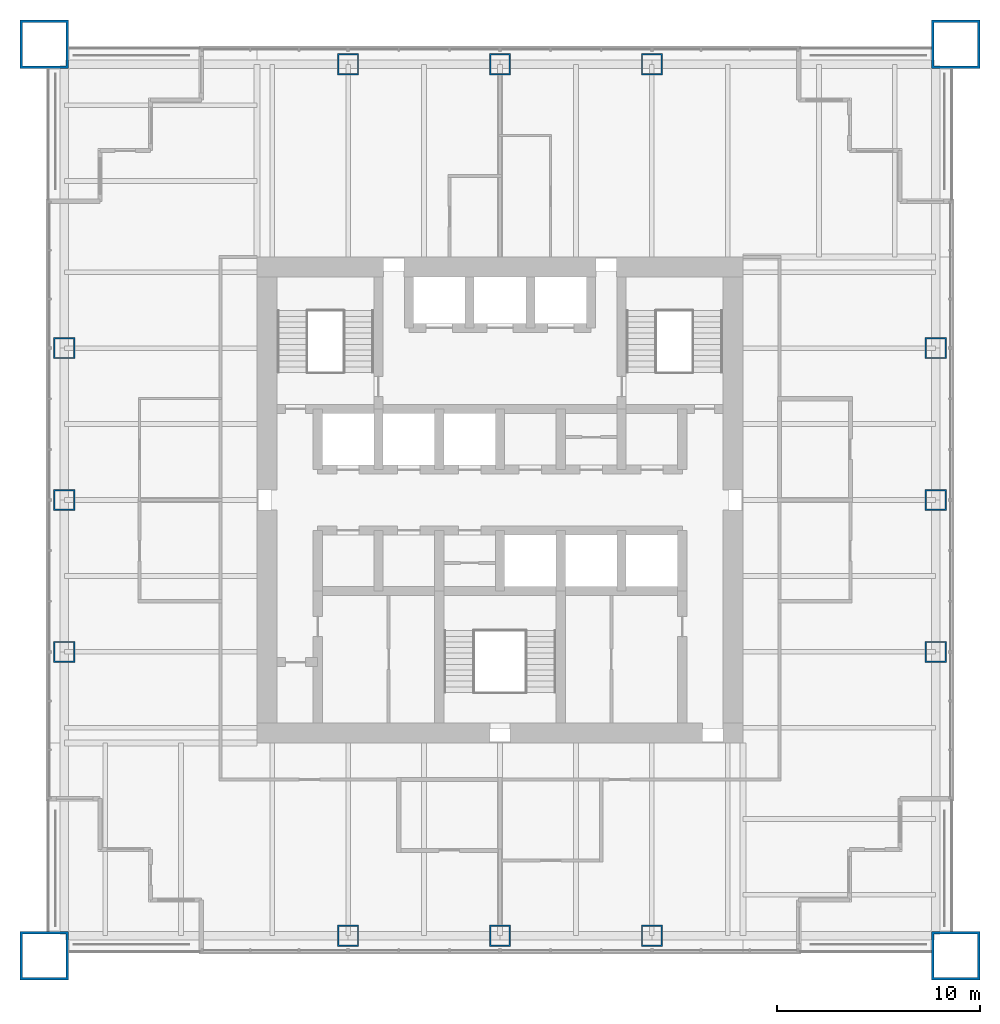
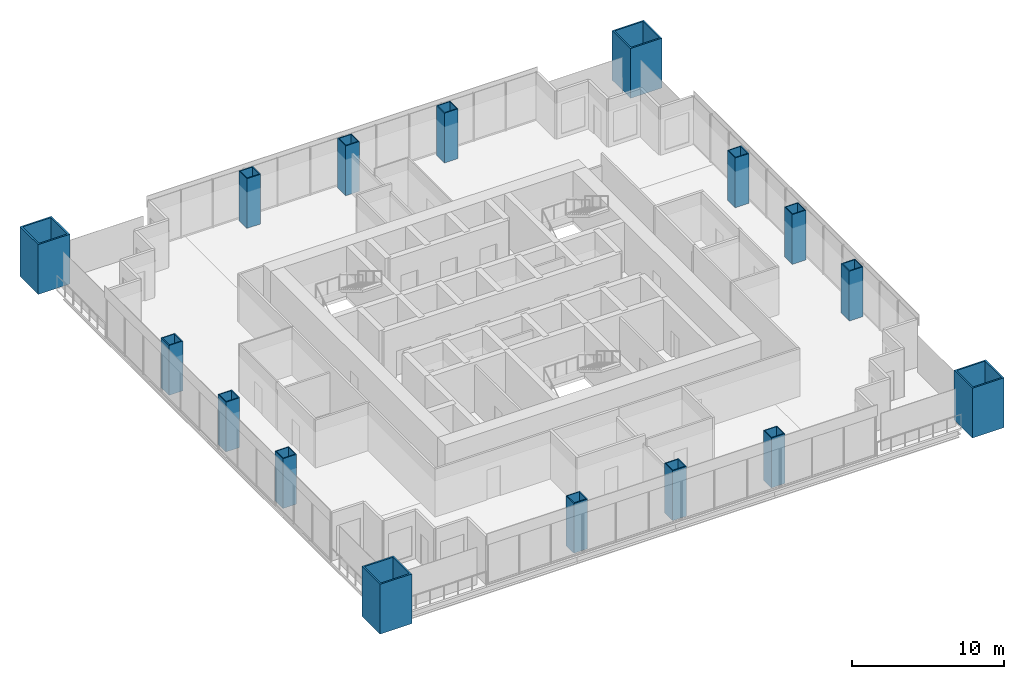
# One storey, part 1 of 13: 16 columns.
"""IFC4 building model written with IfcOpenShell, lengths in metres."""

import ifcopenshell
import ifcopenshell.guid

model = None  # the IFC model being written
_history = None  # IfcOwnerHistory: only IFC2X3 demands one
_inside = {}  # id of a spatial element -> (the spatial element, [elements in it])
_under = {}  # id of a project, library or spatial element -> (it, [spatial elements below it])
_declared = {}  # id of a project -> (the project, [libraries it declares])
_typed = {}  # id of a type object -> (the type object, [elements of that type])
_made_of = {}  # id of a material, layer set ... -> (it, [elements and type objects made of it])


def new_model(schema):
    """Start an empty IFC model of exactly this schema.

    Asked for "IFC4X3", IfcOpenShell would pick the latest addendum, in which some entities
    have other attributes; the version numbers below select the first issue.
    IFC2X3 requires an IfcOwnerHistory on every rooted entity: one is made here for all.
    """
    global model, _history
    if schema == "IFC4X3":
        model = ifcopenshell.file(schema_version=(4, 3, 0, 0))
    else:
        model = ifcopenshell.file(schema=schema)
    _inside.clear()
    _under.clear()
    _declared.clear()
    _typed.clear()
    _made_of.clear()
    _history = None
    if model.schema == "IFC2X3":
        org = make("IfcOrganization", Name="unknown")
        user = make(
            "IfcPersonAndOrganization",
            ThePerson=make("IfcPerson", FamilyName="unknown"),
            TheOrganization=org,
        )
        app = make(
            "IfcApplication",
            ApplicationDeveloper=org,
            Version="unknown",
            ApplicationFullName="unknown",
            ApplicationIdentifier="unknown",
        )
        _history = make(
            "IfcOwnerHistory",
            OwningUser=user,
            OwningApplication=app,
            ChangeAction="ADDED",
            CreationDate=0,
        )
    return model


def make(cls, **values):
    """One entity of the class cls with the attributes given. An attribute that is None is left unset."""
    return model.create_entity(
        cls, **{name: value for name, value in values.items() if value is not None}
    )


def rooted(cls, **values):
    """An entity with a GlobalId (a new one), such as an element, a storey or a relation."""
    return make(cls, GlobalId=ifcopenshell.guid.new(), OwnerHistory=_history, **values)


def si_unit(unit_type, name, prefix=None):
    """IfcSIUnit, for example si_unit("LENGTHUNIT", "METRE", prefix="MILLI")."""
    return make("IfcSIUnit", UnitType=unit_type, Prefix=prefix, Name=name)


def assignment(units):
    """IfcUnitAssignment: the units of a project."""
    return None if units is None else make("IfcUnitAssignment", Units=units)


def point(xyz):
    """IfcCartesianPoint."""
    return None if xyz is None else make("IfcCartesianPoint", Coordinates=xyz)


def direction(xyz):
    """IfcDirection."""
    return None if xyz is None else make("IfcDirection", DirectionRatios=xyz)


def frame(location, z_axis=None, x_axis=None):
    """IfcAxis2Placement3D, a coordinate frame: its origin and axes. An axis left out is left unset."""
    return make(
        "IfcAxis2Placement3D",
        Location=point(location),
        Axis=direction(z_axis),
        RefDirection=direction(x_axis),
    )


def frame_2d(location, x_axis=None):
    """IfcAxis2Placement2D, a coordinate frame in the plane: its origin and x axis."""
    return make(
        "IfcAxis2Placement2D", Location=point(location), RefDirection=direction(x_axis)
    )


def origin():
    """The frame at (0, 0, 0) with its axes left unset."""
    return frame((0.0, 0.0, 0.0))


def origin_2d():
    """The frame at (0, 0) in the plane with its x axis left unset."""
    return frame_2d((0.0, 0.0))


def place(relative_to, where):
    """IfcLocalPlacement: puts the frame where relative to a parent placement (None: the world)."""
    return make(
        "IfcLocalPlacement", PlacementRelTo=relative_to, RelativePlacement=where
    )


def context(
    kind, dimensions, precision=None, world=None, true_north=None, identifier=None
):
    """IfcGeometricRepresentationContext, for example the 3D "Model" context."""
    return make(
        "IfcGeometricRepresentationContext",
        ContextIdentifier=identifier,
        ContextType=kind,
        CoordinateSpaceDimension=dimensions,
        Precision=precision,
        WorldCoordinateSystem=world,
        TrueNorth=true_north,
    )


def subcontext(parent, identifier, kind, view, scale=None):
    """IfcGeometricRepresentationSubContext, for example "Body" below "Model"."""
    return make(
        "IfcGeometricRepresentationSubContext",
        ContextIdentifier=identifier,
        ContextType=kind,
        ParentContext=parent,
        TargetScale=scale,
        TargetView=view,
    )


def project(units=None, contexts=None):
    """IfcProject with its units and contexts."""
    return rooted(
        "IfcProject",
        Name="project",
        RepresentationContexts=contexts,
        UnitsInContext=assignment(units),
    )


def spatial(cls, under=None, at=None, **own):
    """A site, building, storey or space (cls), placed at a placement, below another one or the project."""
    s = rooted(cls, ObjectPlacement=at, **own)
    if under is not None:
        _under.setdefault(under.id(), (under, []))[1].append(s)
    return s


def profile(cls, at=None, kind="AREA", **sizes):
    """A parametric profile (cls). Its sizes go by their IFC names, for example OverallWidth=200.0."""
    return make(cls, ProfileType=kind, Position=at, **sizes)


def hollow_rectangle(**sizes):
    """IfcRectangleHollowProfileDef."""
    return profile("IfcRectangleHollowProfileDef", **sizes)


def extrude(swept, where, along, depth):
    """IfcExtrudedAreaSolid: the profile swept, set in the frame where, extruded along a direction by depth."""
    return make(
        "IfcExtrudedAreaSolid",
        SweptArea=swept,
        Position=where,
        ExtrudedDirection=direction(along),
        Depth=depth,
    )


def shape(context_of_items, identifier, shape_type, items):
    """IfcShapeRepresentation: the items that make up one representation, for example the "Body"."""
    return make(
        "IfcShapeRepresentation",
        ContextOfItems=context_of_items,
        RepresentationIdentifier=identifier,
        RepresentationType=shape_type,
        Items=items,
    )


def material(Name=None, Category=None):
    """IfcMaterial."""
    return make("IfcMaterial", Name=Name, Category=Category)


def material_profile(
    of_material, cross_section, Name=None, Category=None, Priority=None
):
    """IfcMaterialProfile: a cross section and its material."""
    return make(
        "IfcMaterialProfile",
        Name=Name,
        Material=of_material,
        Profile=cross_section,
        Priority=Priority,
        Category=Category,
    )


def profile_set(profiles, Name=None, composite=None):
    """IfcMaterialProfileSet."""
    return make(
        "IfcMaterialProfileSet",
        Name=Name,
        MaterialProfiles=profiles,
        CompositeProfile=composite,
    )


def made_of(thing, what):
    """Note that an element or type object is made of a material, layer set ...; save() writes the relation."""
    if what is not None:
        _made_of.setdefault(what.id(), (what, []))[1].append(thing)
    return thing


def type_object(cls, material=None, **own):
    """A type object (cls), such as IfcWallType, which elements share."""
    return made_of(rooted(cls, **own), material)


def element(
    cls,
    number,
    at=None,
    inside=None,
    cuts=None,
    type_object=None,
    material=None,
    context=None,
    identifier="Body",
    shape_type=None,
    held_by="IfcProductDefinitionShape",
    body=None,
    shapes=None,
    **own,
):
    """One element of the class cls, such as IfcWall. Its Tag is "e" and its number.

    at: its placement. inside: the storey or other place that contains it. cuts: it is an
    opening in that element (IfcRelVoidsElement). A single representation is given by context,
    identifier, shape_type and body (its items); several are given by shapes. held_by: the class
    of the entity that holds the representations. save() writes the other relations.
    """
    e = rooted(cls, Tag="e%d" % number, ObjectPlacement=at, **own)
    if body is not None:
        shapes = [shape(context, identifier, shape_type, body)]
    if shapes is not None:
        e.Representation = make(held_by, Representations=shapes)
    if inside is not None:
        _inside.setdefault(inside.id(), (inside, []))[1].append(e)
    if cuts is not None:
        rooted(
            "IfcRelVoidsElement", RelatingBuildingElement=cuts, RelatedOpeningElement=e
        )
    if type_object is not None:
        _typed.setdefault(type_object.id(), (type_object, []))[1].append(e)
    return made_of(e, material)


def aggregate(whole, parts):
    """IfcRelAggregates: a whole, such as a stair, and the parts it consists of."""
    return rooted("IfcRelAggregates", RelatingObject=whole, RelatedObjects=parts)


def save(model, path):
    """Write the relations noted so far, then the file.

    IfcRelAggregates (storeys below a building ...), IfcRelContainedInSpatialStructure (elements
    in a storey), IfcRelDefinesByType, IfcRelAssociatesMaterial and IfcRelDeclares: one each for
    every whole, place, type object, material and project.
    """
    for whole, parts in _under.values():
        aggregate(whole, parts)
    for where, things in _inside.values():
        rooted(
            "IfcRelContainedInSpatialStructure",
            RelatedElements=things,
            RelatingStructure=where,
        )
    for kind, things in _typed.values():
        rooted("IfcRelDefinesByType", RelatedObjects=things, RelatingType=kind)
    for what, things in _made_of.values():
        rooted("IfcRelAssociatesMaterial", RelatedObjects=things, RelatingMaterial=what)
    for by, libraries in _declared.values():
        rooted("IfcRelDeclares", RelatingContext=by, RelatedDefinitions=libraries)
    model.write(path)


model = new_model("IFC4")

# Units and contexts
model_context = context("Model", 3, precision=1e-05, world=origin(), true_north=direction((0.0, 1.0)))
body_context = subcontext(model_context, "Body", "Model", "MODEL_VIEW")
ifc_project = project(units=[si_unit("LENGTHUNIT", "METRE"), si_unit("AREAUNIT", "SQUARE_METRE"), si_unit("VOLUMEUNIT", "CUBIC_METRE"), si_unit("PLANEANGLEUNIT", "RADIAN"), si_unit("MASSUNIT", "GRAM", prefix="KILO")], contexts=[model_context])

# Site, building, storey
site_placement = place(None, origin())
site = spatial("IfcSite", under=ifc_project, at=site_placement, CompositionType="ELEMENT")
building_placement = place(site_placement, origin())
building = spatial("IfcBuilding", under=site, at=building_placement, Name="Tarangal Relay Tower", CompositionType="ELEMENT")
storey_placement = place(building_placement, frame((0.0, 0.0, 217.89990234375)))
storey = spatial("IfcBuildingStorey", under=building, at=storey_placement, Name="L46", CompositionType="ELEMENT", Elevation=217.89990234375)

# Columns
ifc_material_1 = material(Name="Steel ASTM A572 Grade 42", Category="steel")
ifc_material_profile_1 = material_profile(ifc_material_1, hollow_rectangle(XDim=2.39990234375, YDim=2.39990234375, WallThickness=0.1201171875, at=origin_2d()), Name="BOX2400X2400X120")
ifc_profile_set_1 = profile_set([ifc_material_profile_1], Name="Steel ASTM A572 Grade 42")
column_type_1 = type_object("IfcColumnType", Name="Mega column BOX2400X2400X120", PredefinedType="COLUMN", material=ifc_profile_set_1)
for number, where, z_axis, x_axis, name in (
    (1, (22.5, 22.5, 0.0), (0.0, 0.0, 1.0), (1.0, 0.0, 0.0), "Mega column MC3 NE L46"),
    (2, (22.5, -22.5, 0.0), (0.0, 0.0, 1.0), (1.0, 0.0, 0.0), "Mega column MC3 SE L46"),
    (3, (-22.5, -22.5, 0.0), (0.0, 0.0, 1.0), (1.0, 0.0, 0.0), "Mega column MC3 SW L46"),
    (4, (-22.5, 22.5, 0.0), (0.0, 0.0, 1.0), (1.0, 0.0, 0.0), "Mega column MC3 NW L46"),
):
    element("IfcColumn", number, at=place(storey_placement, frame(where, z_axis=z_axis, x_axis=x_axis)), inside=storey, type_object=column_type_1, Name=name, PredefinedType="COLUMN", context=body_context, shape_type="SweptSolid", body=[
        extrude(hollow_rectangle(XDim=2.39990234375, YDim=2.39990234375, WallThickness=0.1201171875, at=origin_2d()), origin(), (0.0, 0.0, 1.0), 4.0),
    ])
ifc_material_2 = material(Name="Steel ASTM A572 Grade 50", Category="steel")
ifc_material_profile_2 = material_profile(ifc_material_2, hollow_rectangle(XDim=1.050048828125, YDim=1.050048828125, WallThickness=0.070068359375, at=origin_2d()), Name="BOX1050X1050X70")
ifc_profile_set_2 = profile_set([ifc_material_profile_2], Name="Steel ASTM A572 Grade 50")
column_type_2 = type_object("IfcColumnType", Name="Perimeter column BOX1050X1050X70", PredefinedType="COLUMN", material=ifc_profile_set_2)
for number, where, z_axis, x_axis, name in (
    (5, (-7.5, 21.514892578125, 0.0), (0.0, 0.0, 1.0), (1.0, 0.0, 0.0), "Perimeter column PC4 N L46"),
    (6, (0.0, 21.514892578125, 0.0), (0.0, 0.0, 1.0), (1.0, 0.0, 0.0), "Perimeter column PC4 N L46"),
    (7, (7.5, 21.514892578125, 0.0), (0.0, 0.0, 1.0), (1.0, 0.0, 0.0), "Perimeter column PC4 N L46"),
    (8, (21.514892578125, 7.5, 0.0), (0.0, 0.0, 1.0), (1.0, 0.0, 0.0), "Perimeter column PC4 E L46"),
    (9, (21.514892578125, 0.0, 0.0), (0.0, 0.0, 1.0), (1.0, 0.0, 0.0), "Perimeter column PC4 E L46"),
    (10, (21.514892578125, -7.5, 0.0), (0.0, 0.0, 1.0), (1.0, 0.0, 0.0), "Perimeter column PC4 E L46"),
    (11, (7.5, -21.514892578125, 0.0), (0.0, 0.0, 1.0), (1.0, 0.0, 0.0), "Perimeter column PC4 S L46"),
    (12, (0.0, -21.514892578125, 0.0), (0.0, 0.0, 1.0), (1.0, 0.0, 0.0), "Perimeter column PC4 S L46"),
    (13, (-7.5, -21.514892578125, 0.0), (0.0, 0.0, 1.0), (1.0, 0.0, 0.0), "Perimeter column PC4 S L46"),
    (14, (-21.514892578125, -7.5, 0.0), (0.0, 0.0, 1.0), (1.0, 0.0, 0.0), "Perimeter column PC4 W L46"),
    (15, (-21.514892578125, 0.0, 0.0), (0.0, 0.0, 1.0), (1.0, 0.0, 0.0), "Perimeter column PC4 W L46"),
    (16, (-21.514892578125, 7.5, 0.0), (0.0, 0.0, 1.0), (1.0, 0.0, 0.0), "Perimeter column PC4 W L46"),
):
    element("IfcColumn", number, at=place(storey_placement, frame(where, z_axis=z_axis, x_axis=x_axis)), inside=storey, type_object=column_type_2, Name=name, PredefinedType="COLUMN", context=body_context, shape_type="SweptSolid", body=[
        extrude(hollow_rectangle(XDim=1.050048828125, YDim=1.050048828125, WallThickness=0.070068359375, at=origin_2d()), origin(), (0.0, 0.0, 1.0), 4.0),
    ])

save(model, "model.ifc")
